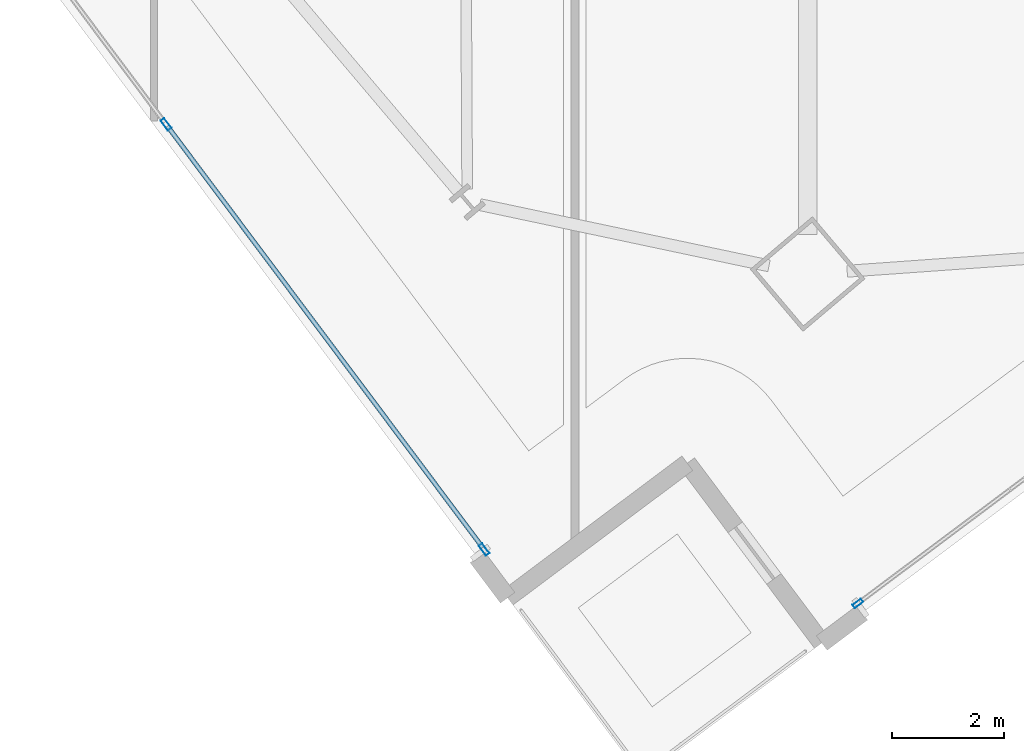
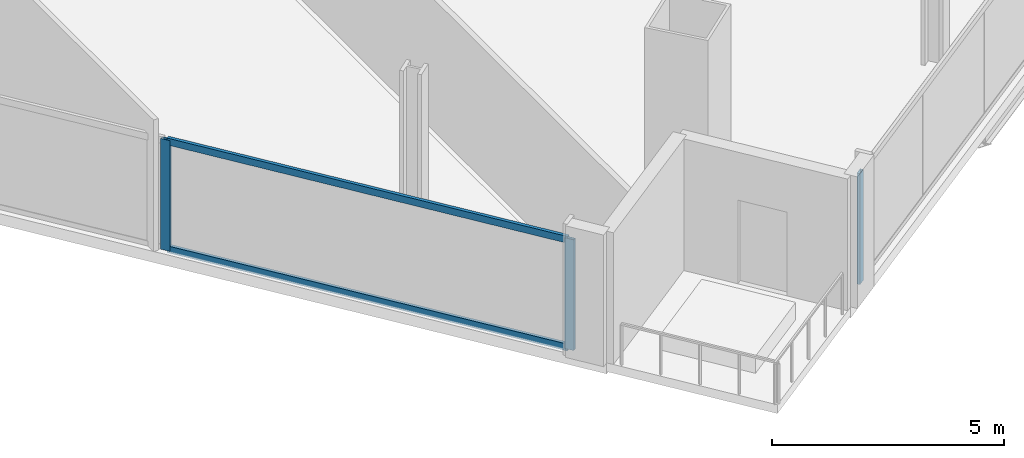
# One storey, part 2 of 32: 5 members, 2 elements without a shape of their own.
"""IFC4 building model written with IfcOpenShell, lengths in metres."""

from ifc_helpers import new_model, si_unit, direction, frame, origin, origin_2d, place, context, subcontext, project, spatial, hollow_rectangle, extrude, material, material_profile, profile_set, type_object, element, aggregate, save


model = new_model("IFC4")

# Units and contexts
model_context = context("Model", 3, precision=1e-05, world=origin(), true_north=direction((0.0, 1.0)))
body_context = subcontext(model_context, "Body", "Model", "MODEL_VIEW")
ifc_project = project(units=[si_unit("LENGTHUNIT", "METRE"), si_unit("AREAUNIT", "SQUARE_METRE"), si_unit("VOLUMEUNIT", "CUBIC_METRE"), si_unit("PLANEANGLEUNIT", "RADIAN"), si_unit("MASSUNIT", "GRAM", prefix="KILO")], contexts=[model_context])

# Site, building, storey
site_placement = place(None, origin())
site = spatial("IfcSite", under=ifc_project, at=site_placement, CompositionType="ELEMENT")
building_placement = place(site_placement, origin())
building = spatial("IfcBuilding", under=site, at=building_placement, Name="Haldenkirk Collegiate Tower", CompositionType="ELEMENT")
storey_placement = place(building_placement, frame((0.0, 0.0, 151.949951171875)))
storey = spatial("IfcBuildingStorey", under=building, at=storey_placement, Name="L37", CompositionType="ELEMENT", Elevation=151.949951171875)

# Curtain wall, member
ifc_material = material(Name="Anodised architectural bronze aluminium", Category="aluminium")
curtain_wall_type_1 = type_object("IfcCurtainWallType", Name="CW-SYS2-CONCAVE", PredefinedType="USERDEFINED", material=ifc_material)
curtain_wall_1_placement = place(storey_placement, origin())
curtain_wall_1 = element("IfcCurtainWall", 1, at=curtain_wall_1_placement, inside=storey, type_object=curtain_wall_type_1, Name="L37 South concave recessed bronze-anodised curtain wall", ObjectType="UNITISED CURTAIN WALL", PredefinedType="USERDEFINED")
ifc_material_profile_1 = material_profile(ifc_material, hollow_rectangle(XDim=0.074951171875, YDim=0.18994140625, WallThickness=0.0048828125, at=origin_2d()), Name="CW-MUL-02")
ifc_profile_set_1 = profile_set([ifc_material_profile_1], Name="Anodised architectural bronze aluminium")
member_type_1 = type_object("IfcMemberType", Name="CW-MUL-02", PredefinedType="MULLION", material=ifc_profile_set_1)
member_1_placement = place(storey_placement, frame((34.0439453125, -5.211181640625, 0.0), z_axis=(0.0, 0.0, 1.0), x_axis=(0.599025366751, -0.800730048136, 0.0)))
member_1 = element("IfcMember", 2, at=member_1_placement, type_object=member_type_1, Name="CW-02 mullion 5", PredefinedType="MULLION", context=body_context, shape_type="SweptSolid", body=[
    extrude(hollow_rectangle(XDim=0.074951171875, YDim=0.18994140625, WallThickness=0.0048828125, at=origin_2d()), origin(), (0.0, 0.0, 1.0), 2.9111328125),
])
aggregate(curtain_wall_1, [member_1])

# Curtain wall, members
curtain_wall_type_2 = type_object("IfcCurtainWallType", Name="CW-SYS1-CONVEX-LOW", PredefinedType="USERDEFINED", material=ifc_material)
curtain_wall_2_placement = place(storey_placement, origin())
curtain_wall_2 = element("IfcCurtainWall", 3, at=curtain_wall_2_placement, inside=storey, type_object=curtain_wall_type_2, Name="L37 Lower tower convex bronze-framed unitised curtain wall", ObjectType="UNITISED CURTAIN WALL", PredefinedType="USERDEFINED")
ifc_material_profile_2 = material_profile(ifc_material, hollow_rectangle(XDim=0.080078125, YDim=0.219970703125, WallThickness=0.0048828125, at=origin_2d()), Name="CW-MUL-1A")
ifc_profile_set_2 = profile_set([ifc_material_profile_2], Name="Anodised architectural bronze aluminium")
member_type_2 = type_object("IfcMemberType", Name="CW-MUL-1A", PredefinedType="MULLION", material=ifc_profile_set_2)
member_2_placement = place(storey_placement, frame((27.383056640625, -4.24951171875, 0.0), z_axis=(0.0, 0.0, 1.0), x_axis=(-0.800730460187, -0.599024815954, 0.0)))
member_2 = element("IfcMember", 4, at=member_2_placement, type_object=member_type_2, Name="CW-1A mullion 1", PredefinedType="MULLION", context=body_context, shape_type="SweptSolid", body=[
    extrude(hollow_rectangle(XDim=0.080078125, YDim=0.219970703125, WallThickness=0.0048828125, at=origin_2d()), origin(), (0.0, 0.0, 1.0), 2.9111328125),
])
member_3_placement = place(storey_placement, frame((21.71630859375, 3.325439453125, 0.0), z_axis=(0.0, 0.0, 1.0), x_axis=(-0.800730460187, -0.599024815954, 0.0)))
member_3 = element("IfcMember", 5, at=member_3_placement, type_object=member_type_2, Name="CW-1A mullion 2", PredefinedType="MULLION", context=body_context, shape_type="SweptSolid", body=[
    extrude(hollow_rectangle(XDim=0.080078125, YDim=0.219970703125, WallThickness=0.0048828125, at=origin_2d()), origin(), (0.0, 0.0, 1.0), 2.9111328125),
])
ifc_material_profile_3 = material_profile(ifc_material, hollow_rectangle(XDim=0.080078125, YDim=0.179931640625, WallThickness=0.0048828125, at=origin_2d()), Name="CW-TRN-1A")
ifc_profile_set_3 = profile_set([ifc_material_profile_3], Name="Anodised architectural bronze aluminium")
member_type_3 = type_object("IfcMemberType", Name="CW-TRN-1A", PredefinedType="USERDEFINED", material=ifc_profile_set_3)
member_4_placement = place(storey_placement, frame((27.359130859375, -4.217529296875, 0.0400390625), z_axis=(-0.599020920324, 0.800733374485, 0.0), x_axis=(-0.800733374485, -0.599020920324, 0.0)))
member_4 = element("IfcMember", 6, at=member_4_placement, type_object=member_type_3, Name="CW-1A transom 1.1", ObjectType="TRANSOM", PredefinedType="USERDEFINED", context=body_context, shape_type="SweptSolid", body=[
    extrude(hollow_rectangle(XDim=0.080078125, YDim=0.179931640625, WallThickness=0.0048828125, at=origin_2d()), origin(), (0.0, 0.0, 1.0), 9.380126953125),
])
member_5_placement = place(storey_placement, frame((27.359130859375, -4.217529296875, 2.87109375), z_axis=(-0.599020920324, 0.800733374485, 0.0), x_axis=(-0.800733374485, -0.599020920324, 0.0)))
member_5 = element("IfcMember", 7, at=member_5_placement, type_object=member_type_3, Name="CW-1A transom 1.2", ObjectType="TRANSOM", PredefinedType="USERDEFINED", context=body_context, shape_type="SweptSolid", body=[
    extrude(hollow_rectangle(XDim=0.080078125, YDim=0.179931640625, WallThickness=0.0048828125, at=origin_2d()), origin(), (0.0, 0.0, 1.0), 9.380126953125),
])
aggregate(curtain_wall_2, [member_2, member_3, member_4, member_5])

save(model, "model.ifc")
